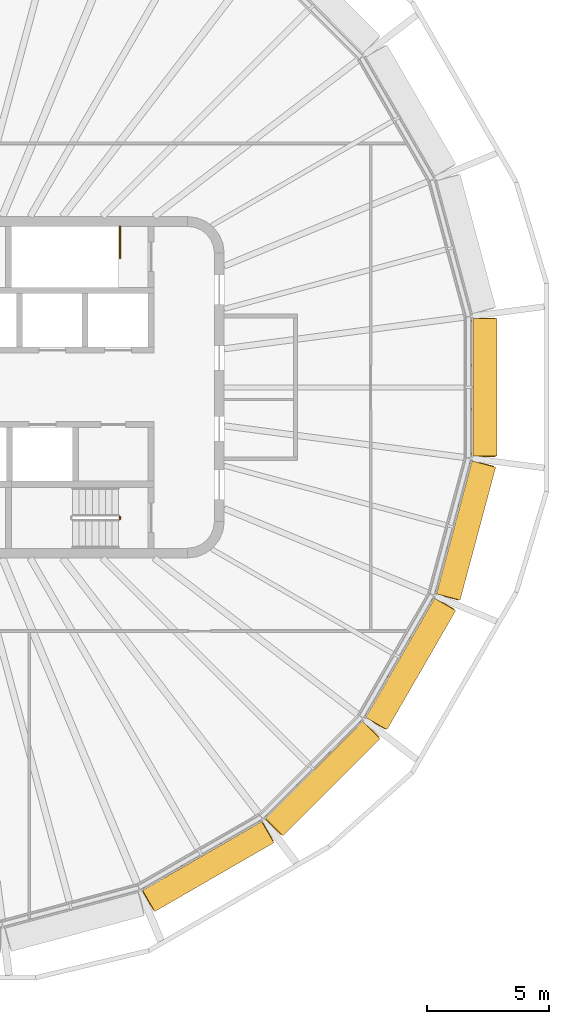
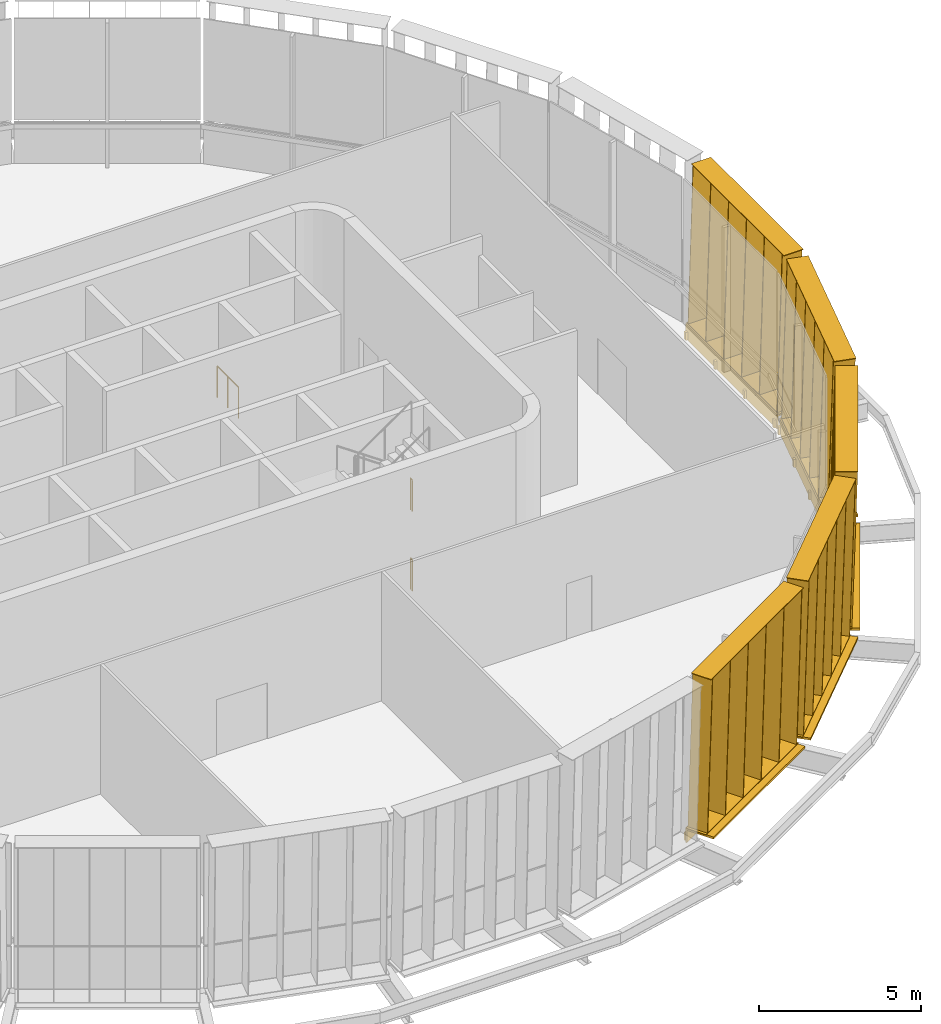
# One storey, part 13 of 14: 10 shading devices, 3 railings.
"""IFC4 building model written with IfcOpenShell, lengths in metres."""

from ifc_helpers import new_model, si_unit, direction, frame, origin, origin_2d, place, context, subcontext, project, spatial, rectangle, circle, extrude, material, type_object, element, save


model = new_model("IFC4")

# Units and contexts
model_context = context("Model", 3, precision=1e-05, world=origin(), true_north=direction((0.0, 1.0)))
body_context = subcontext(model_context, "Body", "Model", "MODEL_VIEW")
ifc_project = project(units=[si_unit("LENGTHUNIT", "METRE"), si_unit("AREAUNIT", "SQUARE_METRE"), si_unit("VOLUMEUNIT", "CUBIC_METRE"), si_unit("PLANEANGLEUNIT", "RADIAN"), si_unit("MASSUNIT", "GRAM", prefix="KILO")], contexts=[model_context])

# Site, building, storey
site_placement = place(None, origin())
site = spatial("IfcSite", under=ifc_project, at=site_placement, CompositionType="ELEMENT")
building_placement = place(site_placement, origin())
building = spatial("IfcBuilding", under=site, at=building_placement, Name="Sahrelin Media Tower", CompositionType="ELEMENT")
storey_placement = place(building_placement, frame((0.0, 0.0, 329.800048828125)))
storey = spatial("IfcBuildingStorey", under=building, at=storey_placement, Name="L73", CompositionType="ELEMENT", Elevation=329.800048828125)

# Shading devices
ifc_material_1 = material(Name="Champagne anodised aluminium 6063-T6", Category="aluminium")
shading_device_type_1 = type_object("IfcShadingDeviceType", Name="Fin cassette", PredefinedType="USERDEFINED", material=ifc_material_1)
placement_1 = place(storey_placement, frame((22.1708984375, 0.0, 0.0), z_axis=(0.0, 0.0, 1.0), x_axis=(0.0, -1.0, 0.0)))
element("IfcShadingDevice", 1, at=placement_1, inside=storey, type_object=shading_device_type_1, Name="L73:FIN:L73-00", ObjectType="FIN", PredefinedType="USERDEFINED", context=body_context, shape_type="SweptSolid", body=[
    extrude(rectangle(XDim=5.699951171875, YDim=0.699951171875, at=origin_2d()), frame((0.0, 0.419921875, 0.0)), (0.0, 0.0, 1.0), 0.02001953125),
    extrude(rectangle(XDim=5.699951171875, YDim=0.699951171875, at=origin_2d()), frame((0.0, 0.60009765625, 5.89990234375)), (0.0, 0.0, 1.0), 0.02001953125),
    extrude(rectangle(XDim=0.02001953125, YDim=0.699951171875, at=origin_2d()), frame((-2.75, 0.419921875, 0.010009765625), z_axis=(0.0, 0.030524542951, 0.999534017569), x_axis=(-1.0, 0.0, 0.0)), (0.0, 0.0, 1.0), 5.902587890625),
    extrude(rectangle(XDim=0.02001953125, YDim=0.699951171875, at=origin_2d()), frame((-1.64990234375, 0.419921875, 0.010009765625), z_axis=(0.0, 0.030524542951, 0.999534017569), x_axis=(-1.0, 0.0, 0.0)), (0.0, 0.0, 1.0), 5.902587890625),
    extrude(rectangle(XDim=0.02001953125, YDim=0.699951171875, at=origin_2d()), frame((-0.550048828125, 0.419921875, 0.010009765625), z_axis=(0.0, 0.030524542951, 0.999534017569), x_axis=(-1.0, 0.0, 0.0)), (0.0, 0.0, 1.0), 5.902587890625),
    extrude(rectangle(XDim=0.02001953125, YDim=0.699951171875, at=origin_2d()), frame((0.550048828125, 0.419921875, 0.010009765625), z_axis=(0.0, 0.030524542951, 0.999534017569), x_axis=(-1.0, 0.0, 0.0)), (0.0, 0.0, 1.0), 5.902587890625),
    extrude(rectangle(XDim=0.02001953125, YDim=0.699951171875, at=origin_2d()), frame((1.64990234375, 0.419921875, 0.010009765625), z_axis=(0.0, 0.030524542951, 0.999534017569), x_axis=(-1.0, 0.0, 0.0)), (0.0, 0.0, 1.0), 5.902587890625),
    extrude(rectangle(XDim=0.02001953125, YDim=0.699951171875, at=origin_2d()), frame((2.75, 0.419921875, 0.010009765625), z_axis=(0.0, 0.030524542951, 0.999534017569), x_axis=(-1.0, 0.0, 0.0)), (0.0, 0.0, 1.0), 5.902587890625),
])
placement_2 = place(storey_placement, frame((11.08544921875, -19.200439453125, 0.0), z_axis=(0.0, 0.0, 1.0), x_axis=(-0.866019052629, -0.500011000363, 0.0)))
element("IfcShadingDevice", 2, at=placement_2, inside=storey, type_object=shading_device_type_1, Name="L73:FIN:L73-20", ObjectType="FIN", PredefinedType="USERDEFINED", context=body_context, shape_type="SweptSolid", body=[
    extrude(rectangle(XDim=5.699951171875, YDim=0.699951171875, at=origin_2d()), frame((0.0, 0.419921875, 0.0)), (0.0, 0.0, 1.0), 0.02001953125),
    extrude(rectangle(XDim=5.699951171875, YDim=0.699951171875, at=origin_2d()), frame((0.0, 0.60009765625, 5.89990234375)), (0.0, 0.0, 1.0), 0.02001953125),
    extrude(rectangle(XDim=0.02001953125, YDim=0.699951171875, at=origin_2d()), frame((-2.75, 0.419921875, 0.010009765625), z_axis=(0.0, 0.030524542951, 0.999534017569), x_axis=(-1.0, 0.0, 0.0)), (0.0, 0.0, 1.0), 5.902587890625),
    extrude(rectangle(XDim=0.02001953125, YDim=0.699951171875, at=origin_2d()), frame((-1.64990234375, 0.419921875, 0.010009765625), z_axis=(0.0, 0.030524542951, 0.999534017569), x_axis=(-1.0, 0.0, 0.0)), (0.0, 0.0, 1.0), 5.902587890625),
    extrude(rectangle(XDim=0.02001953125, YDim=0.699951171875, at=origin_2d()), frame((-0.550048828125, 0.419921875, 0.010009765625), z_axis=(0.0, 0.030524542951, 0.999534017569), x_axis=(-1.0, 0.0, 0.0)), (0.0, 0.0, 1.0), 5.902587890625),
    extrude(rectangle(XDim=0.02001953125, YDim=0.699951171875, at=origin_2d()), frame((0.550048828125, 0.419921875, 0.010009765625), z_axis=(0.0, 0.030524542951, 0.999534017569), x_axis=(-1.0, 0.0, 0.0)), (0.0, 0.0, 1.0), 5.902587890625),
    extrude(rectangle(XDim=0.02001953125, YDim=0.699951171875, at=origin_2d()), frame((1.64990234375, 0.419921875, 0.010009765625), z_axis=(0.0, 0.030524542951, 0.999534017569), x_axis=(-1.0, 0.0, 0.0)), (0.0, 0.0, 1.0), 5.902587890625),
    extrude(rectangle(XDim=0.02001953125, YDim=0.699951171875, at=origin_2d()), frame((2.75, 0.419921875, 0.010009765625), z_axis=(0.0, 0.030524542951, 0.999534017569), x_axis=(-1.0, 0.0, 0.0)), (0.0, 0.0, 1.0), 5.902587890625),
])
placement_3 = place(storey_placement, frame((15.677001953125, -15.677001953125, 0.0), z_axis=(0.0, 0.0, 1.0), x_axis=(-0.707106781187, -0.707106781187, 0.0)))
element("IfcShadingDevice", 3, at=placement_3, inside=storey, type_object=shading_device_type_1, Name="L73:FIN:L73-21", ObjectType="FIN", PredefinedType="USERDEFINED", context=body_context, shape_type="SweptSolid", body=[
    extrude(rectangle(XDim=5.699951171875, YDim=0.699951171875, at=origin_2d()), frame((0.0, 0.419921875, 0.0)), (0.0, 0.0, 1.0), 0.02001953125),
    extrude(rectangle(XDim=5.699951171875, YDim=0.699951171875, at=origin_2d()), frame((0.0, 0.60009765625, 5.89990234375)), (0.0, 0.0, 1.0), 0.02001953125),
    extrude(rectangle(XDim=0.02001953125, YDim=0.699951171875, at=origin_2d()), frame((-2.75, 0.419921875, 0.010009765625), z_axis=(0.0, 0.030524542951, 0.999534017569), x_axis=(-1.0, 0.0, 0.0)), (0.0, 0.0, 1.0), 5.902587890625),
    extrude(rectangle(XDim=0.02001953125, YDim=0.699951171875, at=origin_2d()), frame((-1.64990234375, 0.419921875, 0.010009765625), z_axis=(0.0, 0.030524542951, 0.999534017569), x_axis=(-1.0, 0.0, 0.0)), (0.0, 0.0, 1.0), 5.902587890625),
    extrude(rectangle(XDim=0.02001953125, YDim=0.699951171875, at=origin_2d()), frame((-0.550048828125, 0.419921875, 0.010009765625), z_axis=(0.0, 0.030524542951, 0.999534017569), x_axis=(-1.0, 0.0, 0.0)), (0.0, 0.0, 1.0), 5.902587890625),
    extrude(rectangle(XDim=0.02001953125, YDim=0.699951171875, at=origin_2d()), frame((0.550048828125, 0.419921875, 0.010009765625), z_axis=(0.0, 0.030524542951, 0.999534017569), x_axis=(-1.0, 0.0, 0.0)), (0.0, 0.0, 1.0), 5.902587890625),
    extrude(rectangle(XDim=0.02001953125, YDim=0.699951171875, at=origin_2d()), frame((1.64990234375, 0.419921875, 0.010009765625), z_axis=(0.0, 0.030524542951, 0.999534017569), x_axis=(-1.0, 0.0, 0.0)), (0.0, 0.0, 1.0), 5.902587890625),
    extrude(rectangle(XDim=0.02001953125, YDim=0.699951171875, at=origin_2d()), frame((2.75, 0.419921875, 0.010009765625), z_axis=(0.0, 0.030524542951, 0.999534017569), x_axis=(-1.0, 0.0, 0.0)), (0.0, 0.0, 1.0), 5.902587890625),
])
placement_4 = place(storey_placement, frame((19.200439453125, -11.08544921875, 0.0), z_axis=(0.0, 0.0, 1.0), x_axis=(-0.500011000363, -0.866019052629, 0.0)))
element("IfcShadingDevice", 4, at=placement_4, inside=storey, type_object=shading_device_type_1, Name="L73:FIN:L73-22", ObjectType="FIN", PredefinedType="USERDEFINED", context=body_context, shape_type="SweptSolid", body=[
    extrude(rectangle(XDim=5.699951171875, YDim=0.699951171875, at=origin_2d()), frame((0.0, 0.419921875, 0.0)), (0.0, 0.0, 1.0), 0.02001953125),
    extrude(rectangle(XDim=5.699951171875, YDim=0.699951171875, at=origin_2d()), frame((0.0, 0.60009765625, 5.89990234375)), (0.0, 0.0, 1.0), 0.02001953125),
    extrude(rectangle(XDim=0.02001953125, YDim=0.699951171875, at=origin_2d()), frame((-2.75, 0.419921875, 0.010009765625), z_axis=(0.0, 0.030524542951, 0.999534017569), x_axis=(-1.0, 0.0, 0.0)), (0.0, 0.0, 1.0), 5.902587890625),
    extrude(rectangle(XDim=0.02001953125, YDim=0.699951171875, at=origin_2d()), frame((-1.64990234375, 0.419921875, 0.010009765625), z_axis=(0.0, 0.030524542951, 0.999534017569), x_axis=(-1.0, 0.0, 0.0)), (0.0, 0.0, 1.0), 5.902587890625),
    extrude(rectangle(XDim=0.02001953125, YDim=0.699951171875, at=origin_2d()), frame((-0.550048828125, 0.419921875, 0.010009765625), z_axis=(0.0, 0.030524542951, 0.999534017569), x_axis=(-1.0, 0.0, 0.0)), (0.0, 0.0, 1.0), 5.902587890625),
    extrude(rectangle(XDim=0.02001953125, YDim=0.699951171875, at=origin_2d()), frame((0.550048828125, 0.419921875, 0.010009765625), z_axis=(0.0, 0.030524542951, 0.999534017569), x_axis=(-1.0, 0.0, 0.0)), (0.0, 0.0, 1.0), 5.902587890625),
    extrude(rectangle(XDim=0.02001953125, YDim=0.699951171875, at=origin_2d()), frame((1.64990234375, 0.419921875, 0.010009765625), z_axis=(0.0, 0.030524542951, 0.999534017569), x_axis=(-1.0, 0.0, 0.0)), (0.0, 0.0, 1.0), 5.902587890625),
    extrude(rectangle(XDim=0.02001953125, YDim=0.699951171875, at=origin_2d()), frame((2.75, 0.419921875, 0.010009765625), z_axis=(0.0, 0.030524542951, 0.999534017569), x_axis=(-1.0, 0.0, 0.0)), (0.0, 0.0, 1.0), 5.902587890625),
])
placement_5 = place(storey_placement, frame((21.415283203125, -5.73828125, 0.0), z_axis=(0.0, 0.0, 1.0), x_axis=(-0.258807731996, -0.965928857556, 0.0)))
element("IfcShadingDevice", 5, at=placement_5, inside=storey, type_object=shading_device_type_1, Name="L73:FIN:L73-23", ObjectType="FIN", PredefinedType="USERDEFINED", context=body_context, shape_type="SweptSolid", body=[
    extrude(rectangle(XDim=5.699951171875, YDim=0.699951171875, at=origin_2d()), frame((0.0, 0.419921875, 0.0)), (0.0, 0.0, 1.0), 0.02001953125),
    extrude(rectangle(XDim=5.699951171875, YDim=0.699951171875, at=origin_2d()), frame((0.0, 0.60009765625, 5.89990234375)), (0.0, 0.0, 1.0), 0.02001953125),
    extrude(rectangle(XDim=0.02001953125, YDim=0.699951171875, at=origin_2d()), frame((-2.75, 0.419921875, 0.010009765625), z_axis=(0.0, 0.030524542951, 0.999534017569), x_axis=(-1.0, 0.0, 0.0)), (0.0, 0.0, 1.0), 5.902587890625),
    extrude(rectangle(XDim=0.02001953125, YDim=0.699951171875, at=origin_2d()), frame((-1.64990234375, 0.419921875, 0.010009765625), z_axis=(0.0, 0.030524542951, 0.999534017569), x_axis=(-1.0, 0.0, 0.0)), (0.0, 0.0, 1.0), 5.902587890625),
    extrude(rectangle(XDim=0.02001953125, YDim=0.699951171875, at=origin_2d()), frame((-0.550048828125, 0.419921875, 0.010009765625), z_axis=(0.0, 0.030524542951, 0.999534017569), x_axis=(-1.0, 0.0, 0.0)), (0.0, 0.0, 1.0), 5.902587890625),
    extrude(rectangle(XDim=0.02001953125, YDim=0.699951171875, at=origin_2d()), frame((0.550048828125, 0.419921875, 0.010009765625), z_axis=(0.0, 0.030524542951, 0.999534017569), x_axis=(-1.0, 0.0, 0.0)), (0.0, 0.0, 1.0), 5.902587890625),
    extrude(rectangle(XDim=0.02001953125, YDim=0.699951171875, at=origin_2d()), frame((1.64990234375, 0.419921875, 0.010009765625), z_axis=(0.0, 0.030524542951, 0.999534017569), x_axis=(-1.0, 0.0, 0.0)), (0.0, 0.0, 1.0), 5.902587890625),
    extrude(rectangle(XDim=0.02001953125, YDim=0.699951171875, at=origin_2d()), frame((2.75, 0.419921875, 0.010009765625), z_axis=(0.0, 0.030524542951, 0.999534017569), x_axis=(-1.0, 0.0, 0.0)), (0.0, 0.0, 1.0), 5.902587890625),
])

# Railings
ifc_material_2 = material(Name="Steel S355", Category="steel")
railing_type = type_object("IfcRailingType", Name="Stair guard 1200", PredefinedType="GUARDRAIL", material=ifc_material_2)
railing_placement = place(storey_placement, frame((7.72509765625, 6.60009765625, 0.0)))
element("IfcRailing", 6, at=railing_placement, inside=storey, type_object=railing_type, Name="L73 ST3 top well guard 1", PredefinedType="GUARDRAIL", context=body_context, shape_type="SweptSolid", body=[
    extrude(circle(Radius=0.02392578125, at=origin_2d()), frame((0.0, 0.0, 1.17578125), z_axis=(0.0, -1.0, 0.0), x_axis=(1.0, 0.0, 0.0)), (0.0, 0.0, 1.0), 1.300048828125),
    extrude(circle(Radius=0.02099609375, at=origin_2d()), origin(), (0.0, 0.0, 1.0), 1.15185546875),
    extrude(circle(Radius=0.02099609375, at=origin_2d()), frame((0.0, -0.64990234375, 0.0)), (0.0, 0.0, 1.0), 1.15185546875),
    extrude(circle(Radius=0.02099609375, at=origin_2d()), frame((0.0, -1.300048828125, 0.0)), (0.0, 0.0, 1.0), 1.15185546875),
])
for number, where, name in (
    (7, (7.72509765625, -5.300048828125, 3.0), "L73 ST2 stair guard 4"),
    (8, (7.72509765625, -5.300048828125, 0.0), "L73 ST2 stair guard 8"),
):
    element("IfcRailing", number, at=place(storey_placement, frame(where)), inside=storey, type_object=railing_type, Name=name, PredefinedType="GUARDRAIL", context=body_context, shape_type="SweptSolid", body=[
        extrude(circle(Radius=0.02392578125, at=origin_2d()), frame((0.0, 0.0, 1.17578125), z_axis=(0.0, -1.0, 0.0), x_axis=(1.0, 0.0, 0.0)), (0.0, 0.0, 1.0), 0.099853515625),
        extrude(circle(Radius=0.02099609375, at=origin_2d()), origin(), (0.0, 0.0, 1.0), 1.15185546875),
        extrude(circle(Radius=0.02099609375, at=origin_2d()), frame((0.0, -0.099853515625, 0.0)), (0.0, 0.0, 1.0), 1.15185546875),
    ])

# Shading devices
shading_device_type_2 = type_object("IfcShadingDeviceType", Name="Sunshade band", PredefinedType="USERDEFINED", material=ifc_material_1)
element("IfcShadingDevice", 9, at=placement_1, inside=storey, type_object=shading_device_type_2, Name="L73:SUN:L73-00", ObjectType="SUNSHADE", PredefinedType="USERDEFINED", context=body_context, shape_type="SweptSolid", body=[
    extrude(rectangle(XDim=5.6376953125, YDim=0.050048828125, at=origin_2d()), frame((0.0, 0.044921875, -0.55126953125)), (0.0, 0.0, 1.0), 0.471435546875),
    extrude(rectangle(XDim=5.6376953125, YDim=1.0, at=origin_2d()), frame((0.0, 0.52001953125, -0.080078125)), (0.0, 0.0, 1.0), 0.080078125),
    extrude(rectangle(XDim=0.10009765625, YDim=0.074951171875, at=origin_2d()), frame((-2.71875, -0.017578125, -0.52001953125)), (0.0, 0.0, 1.0), 0.300048828125),
    extrude(rectangle(XDim=0.10009765625, YDim=0.074951171875, at=origin_2d()), frame((-0.90625, -0.017578125, -0.52001953125)), (0.0, 0.0, 1.0), 0.300048828125),
    extrude(rectangle(XDim=0.10009765625, YDim=0.074951171875, at=origin_2d()), frame((0.90625, -0.017578125, -0.52001953125)), (0.0, 0.0, 1.0), 0.300048828125),
    extrude(rectangle(XDim=0.10009765625, YDim=0.074951171875, at=origin_2d()), frame((2.71875, -0.017578125, -0.52001953125)), (0.0, 0.0, 1.0), 0.300048828125),
])
element("IfcShadingDevice", 10, at=placement_2, inside=storey, type_object=shading_device_type_2, Name="L73:SUN:L73-20", ObjectType="SUNSHADE", PredefinedType="USERDEFINED", context=body_context, shape_type="SweptSolid", body=[
    extrude(rectangle(XDim=5.6376953125, YDim=0.050048828125, at=origin_2d()), frame((0.0, 0.044921875, -0.55126953125)), (0.0, 0.0, 1.0), 0.471435546875),
    extrude(rectangle(XDim=5.6376953125, YDim=1.0, at=origin_2d()), frame((0.0, 0.52001953125, -0.080078125)), (0.0, 0.0, 1.0), 0.080078125),
    extrude(rectangle(XDim=0.10009765625, YDim=0.074951171875, at=origin_2d()), frame((-2.71875, -0.017578125, -0.52001953125)), (0.0, 0.0, 1.0), 0.300048828125),
    extrude(rectangle(XDim=0.10009765625, YDim=0.074951171875, at=origin_2d()), frame((-0.90625, -0.017578125, -0.52001953125)), (0.0, 0.0, 1.0), 0.300048828125),
    extrude(rectangle(XDim=0.10009765625, YDim=0.074951171875, at=origin_2d()), frame((0.90625, -0.017578125, -0.52001953125)), (0.0, 0.0, 1.0), 0.300048828125),
    extrude(rectangle(XDim=0.10009765625, YDim=0.074951171875, at=origin_2d()), frame((2.71875, -0.017578125, -0.52001953125)), (0.0, 0.0, 1.0), 0.300048828125),
])
element("IfcShadingDevice", 11, at=placement_3, inside=storey, type_object=shading_device_type_2, Name="L73:SUN:L73-21", ObjectType="SUNSHADE", PredefinedType="USERDEFINED", context=body_context, shape_type="SweptSolid", body=[
    extrude(rectangle(XDim=5.6376953125, YDim=0.050048828125, at=origin_2d()), frame((0.0, 0.044921875, -0.55126953125)), (0.0, 0.0, 1.0), 0.471435546875),
    extrude(rectangle(XDim=5.6376953125, YDim=1.0, at=origin_2d()), frame((0.0, 0.52001953125, -0.080078125)), (0.0, 0.0, 1.0), 0.080078125),
    extrude(rectangle(XDim=0.10009765625, YDim=0.074951171875, at=origin_2d()), frame((-2.718994140625, -0.017578125, -0.52001953125)), (0.0, 0.0, 1.0), 0.300048828125),
    extrude(rectangle(XDim=0.10009765625, YDim=0.074951171875, at=origin_2d()), frame((-0.90625, -0.017578125, -0.52001953125)), (0.0, 0.0, 1.0), 0.300048828125),
    extrude(rectangle(XDim=0.10009765625, YDim=0.074951171875, at=origin_2d()), frame((0.90625, -0.017578125, -0.52001953125)), (0.0, 0.0, 1.0), 0.300048828125),
    extrude(rectangle(XDim=0.10009765625, YDim=0.074951171875, at=origin_2d()), frame((2.718994140625, -0.017578125, -0.52001953125)), (0.0, 0.0, 1.0), 0.300048828125),
])
element("IfcShadingDevice", 12, at=placement_4, inside=storey, type_object=shading_device_type_2, Name="L73:SUN:L73-22", ObjectType="SUNSHADE", PredefinedType="USERDEFINED", context=body_context, shape_type="SweptSolid", body=[
    extrude(rectangle(XDim=5.6376953125, YDim=0.050048828125, at=origin_2d()), frame((0.0, 0.044921875, -0.55126953125)), (0.0, 0.0, 1.0), 0.471435546875),
    extrude(rectangle(XDim=5.6376953125, YDim=1.0, at=origin_2d()), frame((0.0, 0.52001953125, -0.080078125)), (0.0, 0.0, 1.0), 0.080078125),
    extrude(rectangle(XDim=0.10009765625, YDim=0.074951171875, at=origin_2d()), frame((-2.71875, -0.017578125, -0.52001953125)), (0.0, 0.0, 1.0), 0.300048828125),
    extrude(rectangle(XDim=0.10009765625, YDim=0.074951171875, at=origin_2d()), frame((-0.90625, -0.017578125, -0.52001953125)), (0.0, 0.0, 1.0), 0.300048828125),
    extrude(rectangle(XDim=0.10009765625, YDim=0.074951171875, at=origin_2d()), frame((0.90625, -0.017578125, -0.52001953125)), (0.0, 0.0, 1.0), 0.300048828125),
    extrude(rectangle(XDim=0.10009765625, YDim=0.074951171875, at=origin_2d()), frame((2.71875, -0.017578125, -0.52001953125)), (0.0, 0.0, 1.0), 0.300048828125),
])
element("IfcShadingDevice", 13, at=placement_5, inside=storey, type_object=shading_device_type_2, Name="L73:SUN:L73-23", ObjectType="SUNSHADE", PredefinedType="USERDEFINED", context=body_context, shape_type="SweptSolid", body=[
    extrude(rectangle(XDim=5.6376953125, YDim=0.050048828125, at=origin_2d()), frame((0.0, 0.044921875, -0.55126953125)), (0.0, 0.0, 1.0), 0.471435546875),
    extrude(rectangle(XDim=5.6376953125, YDim=1.0, at=origin_2d()), frame((0.0, 0.52001953125, -0.080078125)), (0.0, 0.0, 1.0), 0.080078125),
    extrude(rectangle(XDim=0.10009765625, YDim=0.074951171875, at=origin_2d()), frame((-2.718994140625, -0.017578125, -0.52001953125)), (0.0, 0.0, 1.0), 0.300048828125),
    extrude(rectangle(XDim=0.10009765625, YDim=0.074951171875, at=origin_2d()), frame((-0.90625, -0.017578125, -0.52001953125)), (0.0, 0.0, 1.0), 0.300048828125),
    extrude(rectangle(XDim=0.10009765625, YDim=0.074951171875, at=origin_2d()), frame((0.90625, -0.017578125, -0.52001953125)), (0.0, 0.0, 1.0), 0.300048828125),
    extrude(rectangle(XDim=0.10009765625, YDim=0.074951171875, at=origin_2d()), frame((2.718994140625, -0.017578125, -0.52001953125)), (0.0, 0.0, 1.0), 0.300048828125),
])

save(model, "model.ifc")
